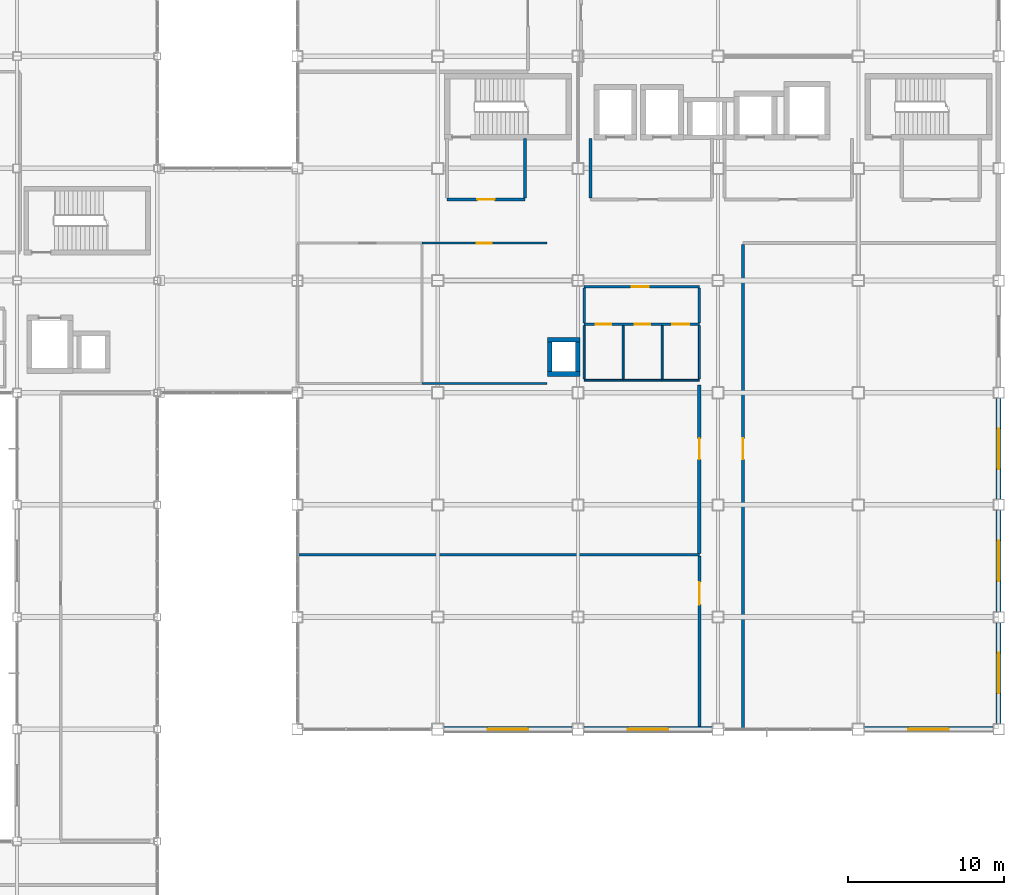
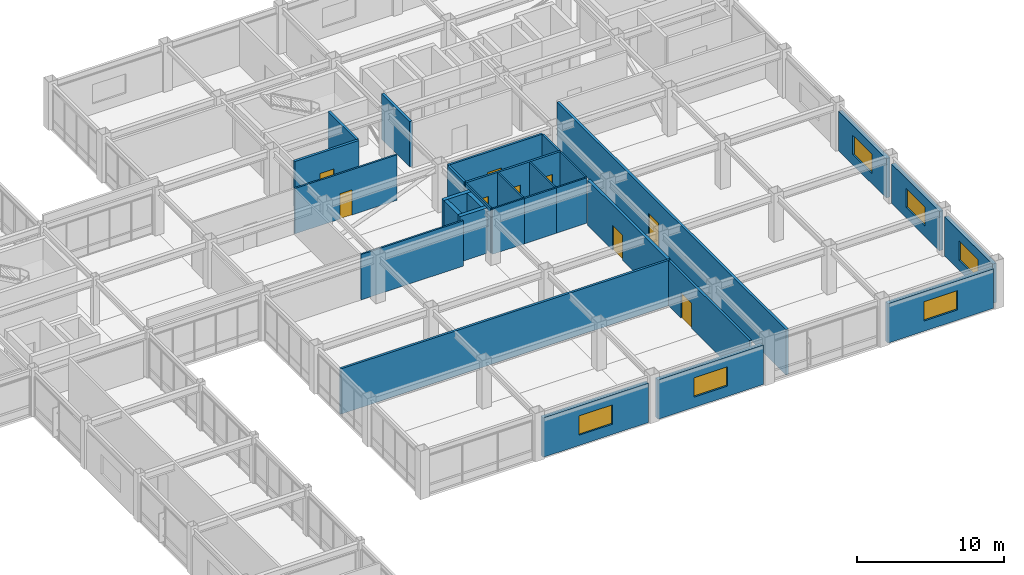
# One storey, part 104 of 122: 30 walls, 9 doors, 6 windows, 15 openings.
"""IFC4 building model written with IfcOpenShell, lengths in metres."""

from ifc_helpers import new_model, si_unit, direction, frame, frame_2d, origin, place, context, subcontext, project, spatial, rectangle, extrude, material, layer, layer_set, type_object, element, fill, save


model = new_model("IFC4")

# Units and contexts
model_context = context("Model", 3, precision=1e-05, world=origin(), true_north=direction((0.0, 1.0)))
body_context = subcontext(model_context, "Body", "Model", "MODEL_VIEW")
ifc_project = project(units=[si_unit("LENGTHUNIT", "METRE"), si_unit("AREAUNIT", "SQUARE_METRE"), si_unit("VOLUMEUNIT", "CUBIC_METRE"), si_unit("PLANEANGLEUNIT", "RADIAN"), si_unit("MASSUNIT", "GRAM", prefix="KILO")], contexts=[model_context])

# Site, building, storey
site_placement = place(None, origin())
site = spatial("IfcSite", under=ifc_project, at=site_placement, CompositionType="ELEMENT")
building_placement = place(site_placement, origin())
building = spatial("IfcBuilding", under=site, at=building_placement, Name="Kazanami Central Library", CompositionType="ELEMENT")
storey_placement = place(building_placement, frame((0.0, 0.0, 4.800048828125)))
storey = spatial("IfcBuildingStorey", under=building, at=storey_placement, Name="L02", CompositionType="ELEMENT", Elevation=4.800048828125)

# Wall, opening, window
ifc_material_1 = material(Name="Concrete Fc36 (36 MPa)", Category="concrete")
ifc_layer_1 = layer(ifc_material_1, 0.219970703125, Name="Concrete Fc36 (36 MPa)")
ifc_material_2 = material(Name="Extruded Polystyrene XPS", Category="earth")
ifc_layer_2 = layer(ifc_material_2, 0.050048828125, Name="Extruded Polystyrene XPS")
ifc_material_3 = material(Name="Honed Inada Granite", Category="masonry")
ifc_layer_3 = layer(ifc_material_3, 0.030029296875, Name="Honed Inada Granite")
ifc_layer_set_1 = layer_set([ifc_layer_1, ifc_layer_2, ifc_layer_3], Name="Concrete Fc36 (36 MPa)")
wall_type_1 = type_object("IfcWallType", Name="WAL-EW-300", PredefinedType="STANDARD", material=ifc_layer_set_1)
wall_1_placement = place(storey_placement, frame((162.0, 50.050048828125, 0.0), z_axis=(0.0, 0.0, 1.0), x_axis=(0.0, -1.0, 0.0)))
wall_1 = element("IfcWall", 1, at=wall_1_placement, inside=storey, type_object=wall_type_1, Name="Exterior Facade Wall EW-300 L02 E-19-06", PredefinedType="STANDARD", context=body_context, shape_type="SweptSolid", body=[
    extrude(rectangle(XDim=6.5, YDim=0.300048828125, at=frame_2d((3.25, 0.0))), origin(), (0.0, 0.0, 1.0), 3.2548828125),
])
opening_1_placement = place(wall_1_placement, frame((1.949951171875, 0.0, 0.85009765625)))
opening_1 = element("IfcOpeningElement", 2, at=opening_1_placement, cuts=wall_1, Name="Opening WN-13", PredefinedType="OPENING", context=body_context, shape_type="SweptSolid", body=[
    extrude(rectangle(XDim=2.60009765625, YDim=1.60009765625, at=frame_2d((1.300048828125, 0.800048828125))), frame((0.0, 0.162109375, 0.0), z_axis=(0.0, -1.0, 0.0), x_axis=(1.0, 0.0, 0.0)), (0.0, 0.0, 1.0), 0.323974609375),
])
ifc_material_4 = material(Name="Low-E Insulated Triple Glass", Category="glass")
window_type = type_object("IfcWindowType", Name="WIN-WN-13", PartitioningType="DOUBLE_PANEL_VERTICAL", PredefinedType="WINDOW", material=ifc_material_4)
window_1_placement = place(opening_1_placement, origin())
window_1 = element("IfcWindow", 3, at=window_1_placement, inside=storey, type_object=window_type, Name="Facade Window WN-13 L02 E-19-06", OverallHeight=1.60009765625, OverallWidth=2.60009765625, PartitioningType="DOUBLE_PANEL_VERTICAL", PredefinedType="WINDOW", context=body_context, shape_type="SweptSolid", body=[
    extrude(rectangle(XDim=2.60009765625, YDim=1.60009765625, at=frame_2d((1.300048828125, 0.800048828125))), frame((0.0, 0.030029296875, 0.0), z_axis=(0.0, -1.0, 0.0), x_axis=(1.0, 0.0, 0.0)), (0.0, 0.0, 1.0), 0.06005859375),
])
fill(opening_1, window_1)

wall_2_placement = place(storey_placement, frame((162.0, 57.25, 0.0), z_axis=(0.0, 0.0, 1.0), x_axis=(0.0, -1.0, 0.0)))
wall_2 = element("IfcWall", 4, at=wall_2_placement, inside=storey, type_object=wall_type_1, Name="Exterior Facade Wall EW-300 L02 E-19-07", PredefinedType="STANDARD", context=body_context, shape_type="SweptSolid", body=[
    extrude(rectangle(XDim=6.5, YDim=0.300048828125, at=frame_2d((3.25, 0.0))), origin(), (0.0, 0.0, 1.0), 3.2548828125),
])
opening_2_placement = place(wall_2_placement, frame((1.949951171875, 0.0, 0.85009765625)))
opening_2 = element("IfcOpeningElement", 5, at=opening_2_placement, cuts=wall_2, Name="Opening WN-13", PredefinedType="OPENING", context=body_context, shape_type="SweptSolid", body=[
    extrude(rectangle(XDim=2.60009765625, YDim=1.60009765625, at=frame_2d((1.300048828125, 0.800048828125))), frame((0.0, 0.162109375, 0.0), z_axis=(0.0, -1.0, 0.0), x_axis=(1.0, 0.0, 0.0)), (0.0, 0.0, 1.0), 0.323974609375),
])
window_2_placement = place(opening_2_placement, origin())
window_2 = element("IfcWindow", 6, at=window_2_placement, inside=storey, type_object=window_type, Name="Facade Window WN-13 L02 E-19-07", OverallHeight=1.60009765625, OverallWidth=2.60009765625, PartitioningType="DOUBLE_PANEL_VERTICAL", PredefinedType="WINDOW", context=body_context, shape_type="SweptSolid", body=[
    extrude(rectangle(XDim=2.60009765625, YDim=1.60009765625, at=frame_2d((1.300048828125, 0.800048828125))), frame((0.0, 0.030029296875, 0.0), z_axis=(0.0, -1.0, 0.0), x_axis=(1.0, 0.0, 0.0)), (0.0, 0.0, 1.0), 0.06005859375),
])
fill(opening_2, window_2)

wall_3_placement = place(storey_placement, frame((162.0, 64.449951171875, 0.0), z_axis=(0.0, 0.0, 1.0), x_axis=(0.0, -1.0, 0.0)))
wall_3 = element("IfcWall", 7, at=wall_3_placement, inside=storey, type_object=wall_type_1, Name="Exterior Facade Wall EW-300 L02 E-19-08", PredefinedType="STANDARD", context=body_context, shape_type="SweptSolid", body=[
    extrude(rectangle(XDim=6.5, YDim=0.300048828125, at=frame_2d((3.25, 0.0))), origin(), (0.0, 0.0, 1.0), 3.2548828125),
])
opening_3_placement = place(wall_3_placement, frame((1.949951171875, 0.0, 0.85009765625)))
opening_3 = element("IfcOpeningElement", 8, at=opening_3_placement, cuts=wall_3, Name="Opening WN-13", PredefinedType="OPENING", context=body_context, shape_type="SweptSolid", body=[
    extrude(rectangle(XDim=2.60009765625, YDim=1.60009765625, at=frame_2d((1.300048828125, 0.800048828125))), frame((0.0, 0.162109375, 0.0), z_axis=(0.0, -1.0, 0.0), x_axis=(1.0, 0.0, 0.0)), (0.0, 0.0, 1.0), 0.323974609375),
])
window_3_placement = place(opening_3_placement, origin())
window_3 = element("IfcWindow", 9, at=window_3_placement, inside=storey, type_object=window_type, Name="Facade Window WN-13 L02 E-19-08", OverallHeight=1.60009765625, OverallWidth=2.60009765625, PartitioningType="DOUBLE_PANEL_VERTICAL", PredefinedType="WINDOW", context=body_context, shape_type="SweptSolid", body=[
    extrude(rectangle(XDim=2.60009765625, YDim=1.60009765625, at=frame_2d((1.300048828125, 0.800048828125))), frame((0.0, 0.030029296875, 0.0), z_axis=(0.0, -1.0, 0.0), x_axis=(1.0, 0.0, 0.0)), (0.0, 0.0, 1.0), 0.06005859375),
])
fill(opening_3, window_3)

ifc_layer_4 = layer(ifc_material_1, 0.239990234375, Name="Concrete Fc36 (36 MPa)")
ifc_layer_5 = layer(ifc_material_2, 0.050048828125, Name="Extruded Polystyrene XPS")
ifc_layer_6 = layer(ifc_material_3, 0.030029296875, Name="Honed Inada Granite")
ifc_layer_set_2 = layer_set([ifc_layer_4, ifc_layer_5, ifc_layer_6], Name="Concrete Fc36 (36 MPa)")
wall_type_2 = type_object("IfcWallType", Name="WAL-EW-320", PredefinedType="STANDARD", material=ifc_layer_set_2)
wall_4_placement = place(storey_placement, frame((126.375, 43.199951171875, 0.0), z_axis=(0.0, 0.0, 1.0), x_axis=(1.0, 0.0, 0.0)))
wall_4 = element("IfcWall", 10, at=wall_4_placement, inside=storey, type_object=wall_type_2, Name="Exterior Facade Wall EW-320 L02 S-G-14", PredefinedType="STANDARD", context=body_context, shape_type="SweptSolid", body=[
    extrude(rectangle(XDim=8.25, YDim=0.320068359375, at=frame_2d((4.125, 0.0))), origin(), (0.0, 0.0, 1.0), 3.2548828125),
])
opening_4_placement = place(wall_4_placement, frame((2.824951171875, 0.0, 0.85009765625)))
opening_4 = element("IfcOpeningElement", 11, at=opening_4_placement, cuts=wall_4, Name="Opening WN-13", PredefinedType="OPENING", context=body_context, shape_type="SweptSolid", body=[
    extrude(rectangle(XDim=2.60009765625, YDim=1.60009765625, at=frame_2d((1.300048828125, 0.800048828125))), frame((0.0, 0.171875, 0.0), z_axis=(0.0, -1.0, 0.0), x_axis=(1.0, 0.0, 0.0)), (0.0, 0.0, 1.0), 0.343994140625),
])
window_4_placement = place(opening_4_placement, origin())
window_4 = element("IfcWindow", 12, at=window_4_placement, inside=storey, type_object=window_type, Name="Facade Window WN-13 L02 S-G-14", OverallHeight=1.60009765625, OverallWidth=2.60009765625, PartitioningType="DOUBLE_PANEL_VERTICAL", PredefinedType="WINDOW", context=body_context, shape_type="SweptSolid", body=[
    extrude(rectangle(XDim=2.60009765625, YDim=1.60009765625, at=frame_2d((1.300048828125, 0.800048828125))), frame((0.0, 0.030029296875, 0.0), z_axis=(0.0, -1.0, 0.0), x_axis=(1.0, 0.0, 0.0)), (0.0, 0.0, 1.0), 0.06005859375),
])
fill(opening_4, window_4)

wall_5_placement = place(storey_placement, frame((135.375, 43.199951171875, 0.0), z_axis=(0.0, 0.0, 1.0), x_axis=(1.0, 0.0, 0.0)))
wall_5 = element("IfcWall", 13, at=wall_5_placement, inside=storey, type_object=wall_type_2, Name="Exterior Facade Wall EW-320 L02 S-G-15", PredefinedType="STANDARD", context=body_context, shape_type="SweptSolid", body=[
    extrude(rectangle(XDim=8.25, YDim=0.320068359375, at=frame_2d((4.125, 0.0))), origin(), (0.0, 0.0, 1.0), 3.2548828125),
])
opening_5_placement = place(wall_5_placement, frame((2.824951171875, 0.0, 0.85009765625)))
opening_5 = element("IfcOpeningElement", 14, at=opening_5_placement, cuts=wall_5, Name="Opening WN-13", PredefinedType="OPENING", context=body_context, shape_type="SweptSolid", body=[
    extrude(rectangle(XDim=2.60009765625, YDim=1.60009765625, at=frame_2d((1.300048828125, 0.800048828125))), frame((0.0, 0.171875, 0.0), z_axis=(0.0, -1.0, 0.0), x_axis=(1.0, 0.0, 0.0)), (0.0, 0.0, 1.0), 0.343994140625),
])
window_5_placement = place(opening_5_placement, origin())
window_5 = element("IfcWindow", 15, at=window_5_placement, inside=storey, type_object=window_type, Name="Facade Window WN-13 L02 S-G-15", OverallHeight=1.60009765625, OverallWidth=2.60009765625, PartitioningType="DOUBLE_PANEL_VERTICAL", PredefinedType="WINDOW", context=body_context, shape_type="SweptSolid", body=[
    extrude(rectangle(XDim=2.60009765625, YDim=1.60009765625, at=frame_2d((1.300048828125, 0.800048828125))), frame((0.0, 0.030029296875, 0.0), z_axis=(0.0, -1.0, 0.0), x_axis=(1.0, 0.0, 0.0)), (0.0, 0.0, 1.0), 0.06005859375),
])
fill(opening_5, window_5)

wall_6_placement = place(storey_placement, frame((153.375, 43.199951171875, 0.0), z_axis=(0.0, 0.0, 1.0), x_axis=(1.0, 0.0, 0.0)))
wall_6 = element("IfcWall", 16, at=wall_6_placement, inside=storey, type_object=wall_type_2, Name="Exterior Facade Wall EW-320 L02 S-G-17", PredefinedType="STANDARD", context=body_context, shape_type="SweptSolid", body=[
    extrude(rectangle(XDim=8.27490234375, YDim=0.320068359375, at=frame_2d((4.137451171875, 0.0))), origin(), (0.0, 0.0, 1.0), 3.2548828125),
])
opening_6_placement = place(wall_6_placement, frame((2.83740234375, 0.0, 0.85009765625)))
opening_6 = element("IfcOpeningElement", 17, at=opening_6_placement, cuts=wall_6, Name="Opening WN-13", PredefinedType="OPENING", context=body_context, shape_type="SweptSolid", body=[
    extrude(rectangle(XDim=2.60009765625, YDim=1.60009765625, at=frame_2d((1.300048828125, 0.800048828125))), frame((0.0, 0.171875, 0.0), z_axis=(0.0, -1.0, 0.0), x_axis=(1.0, 0.0, 0.0)), (0.0, 0.0, 1.0), 0.343994140625),
])
window_6_placement = place(opening_6_placement, origin())
window_6 = element("IfcWindow", 18, at=window_6_placement, inside=storey, type_object=window_type, Name="Facade Window WN-13 L02 S-G-17", OverallHeight=1.60009765625, OverallWidth=2.60009765625, PartitioningType="DOUBLE_PANEL_VERTICAL", PredefinedType="WINDOW", context=body_context, shape_type="SweptSolid", body=[
    extrude(rectangle(XDim=2.60009765625, YDim=1.60009765625, at=frame_2d((1.300048828125, 0.800048828125))), frame((0.0, 0.030029296875, 0.0), z_axis=(0.0, -1.0, 0.0), x_axis=(1.0, 0.0, 0.0)), (0.0, 0.0, 1.0), 0.06005859375),
])
fill(opening_6, window_6)

# Wall, openings, doors
ifc_material_5 = material(Name="Fire-Resistant Gypsum Board GB-F", Category="gypsum")
ifc_layer_7 = layer(ifc_material_5, 0.1650390625, Name="Fire-Resistant Gypsum Board GB-F")
ifc_layer_set_3 = layer_set([ifc_layer_7], Name="Fire-Resistant Gypsum Board GB-F")
wall_type_3 = type_object("IfcWallType", Name="WAL-FW-165", PredefinedType="PARTITIONING", material=ifc_layer_set_3)
wall_7_placement = place(storey_placement, frame((135.39990234375, 69.199951171875, 0.0), z_axis=(0.0, 0.0, 1.0), x_axis=(1.0, 0.0, 0.0)))
wall_7 = element("IfcWall", 19, at=wall_7_placement, inside=storey, type_object=wall_type_3, Name="Interior Partition FW-165 L02 WC-V2-LOB (South)", PredefinedType="PARTITIONING", context=body_context, shape_type="SweptSolid", body=[
    extrude(rectangle(XDim=7.400146484375, YDim=0.1650390625, at=frame_2d((3.7001953125, 0.0))), origin(), (0.0, 0.0, 1.0), 3.7548828125),
])
opening_7_placement = place(wall_7_placement, frame((0.760009765625, 0.0, 0.0)))
opening_7 = element("IfcOpeningElement", 20, at=opening_7_placement, cuts=wall_7, Name="Opening FD30-3", PredefinedType="OPENING", context=body_context, shape_type="SweptSolid", body=[
    extrude(rectangle(XDim=0.97998046875, YDim=2.02001953125, at=frame_2d((0.489990234375, 1.010009765625))), frame((0.0, 0.094482421875, 0.0), z_axis=(0.0, -1.0, 0.0), x_axis=(1.0, 0.0, 0.0)), (0.0, 0.0, 1.0), 0.18896484375),
])
opening_8_placement = place(wall_7_placement, frame((3.25, 0.0, 0.0)))
opening_8 = element("IfcOpeningElement", 21, at=opening_8_placement, cuts=wall_7, Name="Opening FD30-2", PredefinedType="OPENING", context=body_context, shape_type="SweptSolid", body=[
    extrude(rectangle(XDim=1.0, YDim=2.080078125, at=frame_2d((0.5, 1.0400390625))), frame((0.0, 0.094482421875, 0.0), z_axis=(0.0, -1.0, 0.0), x_axis=(1.0, 0.0, 0.0)), (0.0, 0.0, 1.0), 0.18896484375),
])
opening_9_placement = place(wall_7_placement, frame((5.639892578125, 0.0, 0.0)))
opening_9 = element("IfcOpeningElement", 22, at=opening_9_placement, cuts=wall_7, Name="Opening FD30-8", PredefinedType="OPENING", context=body_context, shape_type="SweptSolid", body=[
    extrude(rectangle(XDim=1.1201171875, YDim=2.080078125, at=frame_2d((0.56005859375, 1.0400390625))), frame((0.0, 0.094482421875, 0.0), z_axis=(0.0, -1.0, 0.0), x_axis=(1.0, 0.0, 0.0)), (0.0, 0.0, 1.0), 0.18896484375),
])
ifc_material_6 = material(Name="Cold-Rolled Steel SPCC", Category="steel")
door_type_1 = type_object("IfcDoorType", Name="DOR-FD30-2", OperationType="NOTDEFINED", PredefinedType="DOOR", material=ifc_material_6)
door_1_placement = place(opening_8_placement, origin())
door_1 = element("IfcDoor", 23, at=door_1_placement, inside=storey, type_object=door_type_1, Name="Interior Door FD30-2 L02 WC-V2-F", OperationType="SINGLE_SWING_RIGHT", OverallHeight=2.080078125, OverallWidth=1.0, PredefinedType="DOOR", context=body_context, shape_type="SweptSolid", body=[
    extrude(rectangle(XDim=1.0, YDim=2.080078125, at=frame_2d((0.5, 1.0400390625))), frame((0.0, 0.02490234375, 0.0), z_axis=(0.0, -1.0, 0.0), x_axis=(1.0, 0.0, 0.0)), (0.0, 0.0, 1.0), 0.050048828125),
])
fill(opening_8, door_1)
door_type_2 = type_object("IfcDoorType", Name="DOR-FD30-3", OperationType="NOTDEFINED", PredefinedType="DOOR", material=ifc_material_6)
door_2_placement = place(opening_7_placement, origin())
door_2 = element("IfcDoor", 24, at=door_2_placement, inside=storey, type_object=door_type_2, Name="Interior Door FD30-3 L02 WC-V2-M", OperationType="SINGLE_SWING_LEFT", OverallHeight=2.02001953125, OverallWidth=0.97998046875, PredefinedType="DOOR", context=body_context, shape_type="SweptSolid", body=[
    extrude(rectangle(XDim=0.97998046875, YDim=2.02001953125, at=frame_2d((0.489990234375, 1.010009765625))), frame((0.0, 0.02490234375, 0.0), z_axis=(0.0, -1.0, 0.0), x_axis=(1.0, 0.0, 0.0)), (0.0, 0.0, 1.0), 0.050048828125),
])
fill(opening_7, door_2)
door_type_3 = type_object("IfcDoorType", Name="DOR-FD30-8", OperationType="NOTDEFINED", PredefinedType="DOOR", material=ifc_material_6)
door_3_placement = place(opening_9_placement, origin())
door_3 = element("IfcDoor", 25, at=door_3_placement, inside=storey, type_object=door_type_3, Name="Interior Door FD30-8 L02 WC-V2-ACC", OperationType="SINGLE_SWING_LEFT", OverallHeight=2.080078125, OverallWidth=1.1201171875, PredefinedType="DOOR", context=body_context, shape_type="SweptSolid", body=[
    extrude(rectangle(XDim=1.1201171875, YDim=2.080078125, at=frame_2d((0.56005859375, 1.0400390625))), frame((0.0, 0.02490234375, 0.0), z_axis=(0.0, -1.0, 0.0), x_axis=(1.0, 0.0, 0.0)), (0.0, 0.0, 1.0), 0.050048828125),
])
fill(opening_9, door_3)

# Wall, opening, door
wall_8_placement = place(storey_placement, frame((135.39990234375, 71.60009765625, 0.0), z_axis=(0.0, 0.0, 1.0), x_axis=(1.0, 0.0, 0.0)))
wall_8 = element("IfcWall", 26, at=wall_8_placement, inside=storey, type_object=wall_type_3, Name="Interior Partition FW-165 L02 WC-V2-LOB (North)", PredefinedType="PARTITIONING", context=body_context, shape_type="SweptSolid", body=[
    extrude(rectangle(XDim=7.400146484375, YDim=0.1650390625, at=frame_2d((3.7001953125, 0.0))), origin(), (0.0, 0.0, 1.0), 3.7548828125),
])
opening_10_placement = place(wall_8_placement, frame((3.0400390625, 0.0, 0.0)))
opening_10 = element("IfcOpeningElement", 27, at=opening_10_placement, cuts=wall_8, Name="Opening FD30-8", PredefinedType="OPENING", context=body_context, shape_type="SweptSolid", body=[
    extrude(rectangle(XDim=1.1201171875, YDim=2.080078125, at=frame_2d((0.56005859375, 1.0400390625))), frame((0.0, 0.094482421875, 0.0), z_axis=(0.0, -1.0, 0.0), x_axis=(1.0, 0.0, 0.0)), (0.0, 0.0, 1.0), 0.18896484375),
])
door_4_placement = place(opening_10_placement, origin())
door_4 = element("IfcDoor", 28, at=door_4_placement, inside=storey, type_object=door_type_3, Name="Interior Door FD30-8 L02 WC-V2-LOB", OperationType="SINGLE_SWING_RIGHT", OverallHeight=2.080078125, OverallWidth=1.1201171875, PredefinedType="DOOR", context=body_context, shape_type="SweptSolid", body=[
    extrude(rectangle(XDim=1.1201171875, YDim=2.080078125, at=frame_2d((0.56005859375, 1.0400390625))), frame((0.0, 0.02490234375, 0.0), z_axis=(0.0, -1.0, 0.0), x_axis=(1.0, 0.0, 0.0)), (0.0, 0.0, 1.0), 0.050048828125),
])
fill(opening_10, door_4)

# Walls
for number, where, z_axis, x_axis, name in (
    (29, (135.39990234375, 69.2900390625, 0.0), (0.0, 0.0, 1.0), (0.0, 1.0, 0.0), "Interior Partition FW-165 L02 WC-V2-LOB (West)"),
    (30, (142.800048828125, 69.2900390625, 0.0), (0.0, 0.0, 1.0), (0.0, 1.0, 0.0), "Interior Partition FW-165 L02 WC-V2-LOB (East)"),
):
    element("IfcWall", number, at=place(storey_placement, frame(where, z_axis=z_axis, x_axis=x_axis)), inside=storey, type_object=wall_type_3, Name=name, PredefinedType="PARTITIONING", context=body_context, shape_type="SweptSolid", body=[
        extrude(rectangle(XDim=2.219970703125, YDim=0.1650390625, at=frame_2d((1.10986328125, 0.0))), origin(), (0.0, 0.0, 1.0), 3.7548828125),
    ])
ifc_layer_8 = layer(ifc_material_5, 0.179931640625, Name="Fire-Resistant Gypsum Board GB-F")
ifc_layer_set_4 = layer_set([ifc_layer_8], Name="Fire-Resistant Gypsum Board GB-F")
wall_type_4 = type_object("IfcWallType", Name="WAL-FW-180", PredefinedType="PARTITIONING", material=ifc_layer_set_4)
wall_9_placement = place(storey_placement, frame((117.034912109375, 54.39990234375, 0.0), z_axis=(0.0, 0.0, 1.0), x_axis=(1.0, 0.0, 0.0)))
element("IfcWall", 31, at=wall_9_placement, inside=storey, type_object=wall_type_4, Name="Interior Partition FW-180 L02 RM-41 (North)", PredefinedType="PARTITIONING", context=body_context, shape_type="SweptSolid", body=[
    extrude(rectangle(XDim=25.76513671875, YDim=0.179931640625, at=frame_2d((12.882568359375, 0.0))), origin(), (0.0, 0.0, 1.0), 3.7548828125),
])

# Wall, opening, door
wall_10_placement = place(storey_placement, frame((142.800048828125, 43.364990234375, 0.0), z_axis=(0.0, 0.0, 1.0), x_axis=(0.0, 1.0, 0.0)))
wall_10 = element("IfcWall", 32, at=wall_10_placement, inside=storey, type_object=wall_type_4, Name="Interior Partition FW-180 L02 RM-41 (East)", PredefinedType="PARTITIONING", context=body_context, shape_type="SweptSolid", body=[
    extrude(rectangle(XDim=10.945068359375, YDim=0.179931640625, at=frame_2d((5.47265625, 0.0))), origin(), (0.0, 0.0, 1.0), 3.7548828125),
])
opening_11_placement = place(wall_10_placement, frame((7.8349609375, 0.0, 0.0)))
opening_11 = element("IfcOpeningElement", 33, at=opening_11_placement, cuts=wall_10, Name="Opening FD30-6", PredefinedType="OPENING", context=body_context, shape_type="SweptSolid", body=[
    extrude(rectangle(XDim=1.449951171875, YDim=2.10009765625, at=frame_2d((0.72509765625, 1.050048828125))), frame((0.0, 0.10205078125, 0.0), z_axis=(0.0, -1.0, 0.0), x_axis=(1.0, 0.0, 0.0)), (0.0, 0.0, 1.0), 0.203857421875),
])
door_type_4 = type_object("IfcDoorType", Name="DOR-FD30-6", OperationType="DOUBLE_DOOR_SINGLE_SWING", PredefinedType="DOOR", material=ifc_material_6)
door_5_placement = place(opening_11_placement, origin())
door_5 = element("IfcDoor", 34, at=door_5_placement, inside=storey, type_object=door_type_4, Name="Interior Door FD30-6 L02 RM-41", OperationType="DOUBLE_DOOR_SINGLE_SWING", OverallHeight=2.10009765625, OverallWidth=1.449951171875, PredefinedType="DOOR", context=body_context, shape_type="SweptSolid", body=[
    extrude(rectangle(XDim=1.449951171875, YDim=2.10009765625, at=frame_2d((0.72509765625, 1.050048828125))), frame((0.0, 0.02490234375, 0.0), z_axis=(0.0, -1.0, 0.0), x_axis=(1.0, 0.0, 0.0)), (0.0, 0.0, 1.0), 0.050048828125),
])
fill(opening_11, door_5)

ifc_layer_9 = layer(ifc_material_5, 0.199951171875, Name="Fire-Resistant Gypsum Board GB-F")
ifc_layer_set_5 = layer_set([ifc_layer_9], Name="Fire-Resistant Gypsum Board GB-F")
wall_type_5 = type_object("IfcWallType", Name="WAL-FW-200", PredefinedType="PARTITIONING", material=ifc_layer_set_5)
wall_11_placement = place(storey_placement, frame((126.60009765625, 77.199951171875, 0.0), z_axis=(0.0, 0.0, 1.0), x_axis=(1.0, 0.0, 0.0)))
wall_11 = element("IfcWall", 35, at=wall_11_placement, inside=storey, type_object=wall_type_5, Name="Interior Partition FW-200 L02 VEST-ST-01 (South)", PredefinedType="PARTITIONING", context=body_context, shape_type="SweptSolid", body=[
    extrude(rectangle(XDim=5.0, YDim=0.199951171875, at=frame_2d((2.5, 0.0))), origin(), (0.0, 0.0, 1.0), 3.7548828125),
])
opening_12_placement = place(wall_11_placement, frame((1.949951171875, 0.0, 0.0)))
opening_12 = element("IfcOpeningElement", 36, at=opening_12_placement, cuts=wall_11, Name="Opening FD60-3", PredefinedType="OPENING", context=body_context, shape_type="SweptSolid", body=[
    extrude(rectangle(XDim=1.10009765625, YDim=2.080078125, at=frame_2d((0.550048828125, 1.0400390625))), frame((0.0, 0.11181640625, 0.0), z_axis=(0.0, -1.0, 0.0), x_axis=(1.0, 0.0, 0.0)), (0.0, 0.0, 1.0), 0.223876953125),
])
door_type_5 = type_object("IfcDoorType", Name="DOR-FD60-3", OperationType="NOTDEFINED", PredefinedType="DOOR", material=ifc_material_6)
door_6_placement = place(opening_12_placement, origin())
door_6 = element("IfcDoor", 37, at=door_6_placement, inside=storey, type_object=door_type_5, Name="Interior Door FD60-3 L02 VEST-ST-01", OperationType="SINGLE_SWING_RIGHT", OverallHeight=2.080078125, OverallWidth=1.10009765625, PredefinedType="DOOR", context=body_context, shape_type="SweptSolid", body=[
    extrude(rectangle(XDim=1.10009765625, YDim=2.080078125, at=frame_2d((0.550048828125, 1.0400390625))), frame((0.0, 0.02490234375, 0.0), z_axis=(0.0, -1.0, 0.0), x_axis=(1.0, 0.0, 0.0)), (0.0, 0.0, 1.0), 0.050048828125),
])
fill(opening_12, door_6)

# Walls
for number, where, z_axis, x_axis, name in (
    (38, (131.60009765625, 77.2900390625, 0.0), (0.0, 0.0, 1.0), (0.0, 1.0, 0.0), "Interior Partition FW-200 L02 VEST-ST-01 (East)"),
    (39, (135.800048828125, 77.2900390625, 0.0), (0.0, 0.0, 1.0), (0.0, 1.0, 0.0), "Interior Partition FW-200 L02 LOBBY-FF (West)"),
):
    element("IfcWall", number, at=place(storey_placement, frame(where, z_axis=z_axis, x_axis=x_axis)), inside=storey, type_object=wall_type_5, Name=name, PredefinedType="PARTITIONING", context=body_context, shape_type="SweptSolid", body=[
        extrude(rectangle(XDim=3.820068359375, YDim=0.199951171875, at=frame_2d((1.91015625, 0.0))), origin(), (0.0, 0.0, 1.0), 3.7548828125),
    ])

# Wall, opening, door
wall_12_placement = place(storey_placement, frame((145.60009765625, 43.235107421875, 0.0), z_axis=(0.0, 0.0, 1.0), x_axis=(0.0, 1.0, 0.0)))
wall_12 = element("IfcWall", 40, at=wall_12_placement, inside=storey, type_object=wall_type_5, Name="Interior Partition FW-200 L02 RM-45 (West)", PredefinedType="PARTITIONING", context=body_context, shape_type="SweptSolid", body=[
    extrude(rectangle(XDim=31.074951171875, YDim=0.199951171875, at=frame_2d((15.53759765625, 0.0))), origin(), (0.0, 0.0, 1.0), 3.7548828125),
])
opening_13_placement = place(wall_12_placement, frame((17.2900390625, 0.0, 0.0)))
opening_13 = element("IfcOpeningElement", 41, at=opening_13_placement, cuts=wall_12, Name="Opening FD60-7", PredefinedType="OPENING", context=body_context, shape_type="SweptSolid", body=[
    extrude(rectangle(XDim=1.35009765625, YDim=2.080078125, at=frame_2d((0.675048828125, 1.0400390625))), frame((0.0, 0.11181640625, 0.0), z_axis=(0.0, -1.0, 0.0), x_axis=(1.0, 0.0, 0.0)), (0.0, 0.0, 1.0), 0.223876953125),
])
door_type_6 = type_object("IfcDoorType", Name="DOR-FD60-7", OperationType="DOUBLE_DOOR_SINGLE_SWING", PredefinedType="DOOR", material=ifc_material_6)
door_7_placement = place(opening_13_placement, origin())
door_7 = element("IfcDoor", 42, at=door_7_placement, inside=storey, type_object=door_type_6, Name="Interior Door FD60-7 L02 RM-45", OperationType="DOUBLE_DOOR_SINGLE_SWING", OverallHeight=2.080078125, OverallWidth=1.35009765625, PredefinedType="DOOR", context=body_context, shape_type="SweptSolid", body=[
    extrude(rectangle(XDim=1.35009765625, YDim=2.080078125, at=frame_2d((0.675048828125, 1.0400390625))), frame((0.0, 0.02490234375, 0.0), z_axis=(0.0, -1.0, 0.0), x_axis=(1.0, 0.0, 0.0)), (0.0, 0.0, 1.0), 0.050048828125),
])
fill(opening_13, door_7)

ifc_layer_10 = layer(ifc_material_5, 0.219970703125, Name="Fire-Resistant Gypsum Board GB-F")
ifc_layer_set_6 = layer_set([ifc_layer_10], Name="Fire-Resistant Gypsum Board GB-F")
wall_type_6 = type_object("IfcWallType", Name="WAL-FW-220", PredefinedType="PARTITIONING", material=ifc_layer_set_6)
wall_13_placement = place(storey_placement, frame((142.800048828125, 54.489990234375, 0.0), z_axis=(0.0, 0.0, 1.0), x_axis=(0.0, 1.0, 0.0)))
wall_13 = element("IfcWall", 43, at=wall_13_placement, inside=storey, type_object=wall_type_6, Name="Interior Partition FW-220 L02 RM-42 (East)", PredefinedType="PARTITIONING", context=body_context, shape_type="SweptSolid", body=[
    extrude(rectangle(XDim=10.820068359375, YDim=0.219970703125, at=frame_2d((5.41015625, 0.0))), origin(), (0.0, 0.0, 1.0), 3.7548828125),
])
opening_14_placement = place(wall_13_placement, frame((6.034912109375, 0.0, 0.0)))
opening_14 = element("IfcOpeningElement", 44, at=opening_14_placement, cuts=wall_13, Name="Opening FD60-7", PredefinedType="OPENING", context=body_context, shape_type="SweptSolid", body=[
    extrude(rectangle(XDim=1.35009765625, YDim=2.080078125, at=frame_2d((0.675048828125, 1.0400390625))), frame((0.0, 0.1220703125, 0.0), z_axis=(0.0, -1.0, 0.0), x_axis=(1.0, 0.0, 0.0)), (0.0, 0.0, 1.0), 0.243896484375),
])
door_8_placement = place(opening_14_placement, origin())
door_8 = element("IfcDoor", 45, at=door_8_placement, inside=storey, type_object=door_type_6, Name="Interior Door FD60-7 L02 RM-42", OperationType="DOUBLE_DOOR_SINGLE_SWING", OverallHeight=2.080078125, OverallWidth=1.35009765625, PredefinedType="DOOR", context=body_context, shape_type="SweptSolid", body=[
    extrude(rectangle(XDim=1.35009765625, YDim=2.080078125, at=frame_2d((0.675048828125, 1.0400390625))), frame((0.0, 0.02490234375, 0.0), z_axis=(0.0, -1.0, 0.0), x_axis=(1.0, 0.0, 0.0)), (0.0, 0.0, 1.0), 0.050048828125),
])
fill(opening_14, door_8)

# Walls
ifc_material_7 = material(Name="Gypsum Plasterboard GB-R", Category="gypsum")
ifc_layer_11 = layer(ifc_material_7, 0.125, Name="Gypsum Plasterboard GB-R")
ifc_layer_set_7 = layer_set([ifc_layer_11], Name="Gypsum Plasterboard GB-R")
wall_type_7 = type_object("IfcWallType", Name="WAL-PW-125", PredefinedType="PARTITIONING", material=ifc_layer_set_7)
wall_14_placement = place(storey_placement, frame((135.39990234375, 65.60009765625, 0.0), z_axis=(0.0, 0.0, 1.0), x_axis=(1.0, 0.0, 0.0)))
element("IfcWall", 46, at=wall_14_placement, inside=storey, type_object=wall_type_7, Name="Interior Partition PW-125 L02 WC-V2-M (South)", PredefinedType="PARTITIONING", context=body_context, shape_type="SweptSolid", body=[
    extrude(rectangle(XDim=2.5, YDim=0.125, at=frame_2d((1.25, 0.0))), origin(), (0.0, 0.0, 1.0), 3.7548828125),
])
for number, where, z_axis, x_axis, name in (
    (47, (135.39990234375, 65.68994140625, 0.0), (0.0, 0.0, 1.0), (0.0, 1.0, 0.0), "Interior Partition PW-125 L02 WC-V2-M (West)"),
    (48, (137.89990234375, 65.68994140625, 0.0), (0.0, 0.0, 1.0), (0.0, 1.0, 0.0), "Interior Partition PW-125 L02 WC-V2-M (East)"),
):
    element("IfcWall", number, at=place(storey_placement, frame(where, z_axis=z_axis, x_axis=x_axis)), inside=storey, type_object=wall_type_7, Name=name, PredefinedType="PARTITIONING", context=body_context, shape_type="SweptSolid", body=[
        extrude(rectangle(XDim=3.420166015625, YDim=0.125, at=frame_2d((1.7099609375, 0.0))), origin(), (0.0, 0.0, 1.0), 3.7548828125),
    ])
wall_15_placement = place(storey_placement, frame((137.89990234375, 65.60009765625, 0.0), z_axis=(0.0, 0.0, 1.0), x_axis=(1.0, 0.0, 0.0)))
element("IfcWall", 49, at=wall_15_placement, inside=storey, type_object=wall_type_7, Name="Interior Partition PW-125 L02 WC-V2-F (South)", PredefinedType="PARTITIONING", context=body_context, shape_type="SweptSolid", body=[
    extrude(rectangle(XDim=2.5, YDim=0.125, at=frame_2d((1.25, 0.0))), origin(), (0.0, 0.0, 1.0), 3.7548828125),
])
wall_16_placement = place(storey_placement, frame((140.39990234375, 65.68994140625, 0.0), z_axis=(0.0, 0.0, 1.0), x_axis=(0.0, 1.0, 0.0)))
element("IfcWall", 50, at=wall_16_placement, inside=storey, type_object=wall_type_7, Name="Interior Partition PW-125 L02 WC-V2-F (East)", PredefinedType="PARTITIONING", context=body_context, shape_type="SweptSolid", body=[
    extrude(rectangle(XDim=3.420166015625, YDim=0.125, at=frame_2d((1.7099609375, 0.0))), origin(), (0.0, 0.0, 1.0), 3.7548828125),
])
wall_17_placement = place(storey_placement, frame((140.39990234375, 65.60009765625, 0.0), z_axis=(0.0, 0.0, 1.0), x_axis=(1.0, 0.0, 0.0)))
element("IfcWall", 51, at=wall_17_placement, inside=storey, type_object=wall_type_7, Name="Interior Partition PW-125 L02 WC-V2-ACC (South)", PredefinedType="PARTITIONING", context=body_context, shape_type="SweptSolid", body=[
    extrude(rectangle(XDim=2.400146484375, YDim=0.125, at=frame_2d((1.2001953125, 0.0))), origin(), (0.0, 0.0, 1.0), 3.7548828125),
])
wall_18_placement = place(storey_placement, frame((142.800048828125, 65.68994140625, 0.0), z_axis=(0.0, 0.0, 1.0), x_axis=(0.0, 1.0, 0.0)))
element("IfcWall", 52, at=wall_18_placement, inside=storey, type_object=wall_type_7, Name="Interior Partition PW-125 L02 WC-V2-ACC (East)", PredefinedType="PARTITIONING", context=body_context, shape_type="SweptSolid", body=[
    extrude(rectangle(XDim=3.420166015625, YDim=0.125, at=frame_2d((1.7099609375, 0.0))), origin(), (0.0, 0.0, 1.0), 3.7548828125),
])
ifc_layer_12 = layer(ifc_material_7, 0.135009765625, Name="Gypsum Plasterboard GB-R")
ifc_layer_set_8 = layer_set([ifc_layer_12], Name="Gypsum Plasterboard GB-R")
wall_type_8 = type_object("IfcWallType", Name="WAL-PW-135", PredefinedType="PARTITIONING", material=ifc_layer_set_8)
wall_19_placement = place(storey_placement, frame((125.0, 65.39990234375, 0.0), z_axis=(0.0, 0.0, 1.0), x_axis=(1.0, 0.0, 0.0)))
element("IfcWall", 53, at=wall_19_placement, inside=storey, type_object=wall_type_8, Name="Interior Partition PW-135 L02 RM-44 (South)", PredefinedType="PARTITIONING", context=body_context, shape_type="SweptSolid", body=[
    extrude(rectangle(XDim=8.0, YDim=0.135009765625, at=frame_2d((4.0, 0.0))), origin(), (0.0, 0.0, 1.0), 3.7548828125),
])

# Wall, opening, door
wall_20_placement = place(storey_placement, frame((125.0, 74.39990234375, 0.0), z_axis=(0.0, 0.0, 1.0), x_axis=(1.0, 0.0, 0.0)))
wall_20 = element("IfcWall", 54, at=wall_20_placement, inside=storey, type_object=wall_type_8, Name="Interior Partition PW-135 L02 RM-44 (North)", PredefinedType="PARTITIONING", context=body_context, shape_type="SweptSolid", body=[
    extrude(rectangle(XDim=8.0, YDim=0.135009765625, at=frame_2d((4.0, 0.0))), origin(), (0.0, 0.0, 1.0), 3.7548828125),
])
opening_15_placement = place(wall_20_placement, frame((3.52001953125, 0.0, 0.0)))
opening_15 = element("IfcOpeningElement", 55, at=opening_15_placement, cuts=wall_20, Name="Opening ID-04", PredefinedType="OPENING", context=body_context, shape_type="SweptSolid", body=[
    extrude(rectangle(XDim=0.9599609375, YDim=2.10009765625, at=frame_2d((0.47998046875, 1.050048828125))), frame((0.0, 0.07958984375, 0.0), z_axis=(0.0, -1.0, 0.0), x_axis=(1.0, 0.0, 0.0)), (0.0, 0.0, 1.0), 0.158935546875),
])
ifc_material_8 = material(Name="White Oak Hardwood", Category="wood")
door_type_7 = type_object("IfcDoorType", Name="DOR-ID-04", OperationType="NOTDEFINED", PredefinedType="DOOR", material=ifc_material_8)
door_9_placement = place(opening_15_placement, origin())
door_9 = element("IfcDoor", 56, at=door_9_placement, inside=storey, type_object=door_type_7, Name="Interior Door ID-04 L02 RM-44", OperationType="SINGLE_SWING_RIGHT", OverallHeight=2.10009765625, OverallWidth=0.9599609375, PredefinedType="DOOR", context=body_context, shape_type="SweptSolid", body=[
    extrude(rectangle(XDim=0.9599609375, YDim=2.10009765625, at=frame_2d((0.47998046875, 1.050048828125))), frame((0.0, 0.02490234375, 0.0), z_axis=(0.0, -1.0, 0.0), x_axis=(1.0, 0.0, 0.0)), (0.0, 0.0, 1.0), 0.050048828125),
])
fill(opening_15, door_9)

# Walls
ifc_layer_13 = layer(ifc_material_1, 0.300048828125, Name="Concrete Fc36 (36 MPa)")
ifc_layer_set_9 = layer_set([ifc_layer_13], Name="Concrete Fc36 (36 MPa)")
wall_type_9 = type_object("IfcWallType", Name="WAL-SW-300", PredefinedType="SHEAR", material=ifc_layer_set_9)
for number, where, z_axis, x_axis, name in (
    (57, (133.050048828125, 66.0, 0.0), (0.0, 0.0, 1.0), (1.0, 0.0, 0.0), "Service Riser Wall RSR-V2-B S L02"),
    (58, (133.050048828125, 68.199951171875, 0.0), (0.0, 0.0, 1.0), (1.0, 0.0, 0.0), "Service Riser Wall RSR-V2-B N L02"),
):
    element("IfcWall", number, at=place(storey_placement, frame(where, z_axis=z_axis, x_axis=x_axis)), inside=storey, type_object=wall_type_9, Name=name, PredefinedType="SHEAR", context=body_context, shape_type="SweptSolid", body=[
        extrude(rectangle(XDim=2.099853515625, YDim=0.300048828125, at=frame_2d((1.0498046875, 0.0))), origin(), (0.0, 0.0, 1.0), 3.7548828125),
    ])
for number, where, z_axis, x_axis, name in (
    (59, (133.199951171875, 66.14990234375, 0.0), (0.0, 0.0, 1.0), (0.0, 1.0, 0.0), "Service Riser Wall RSR-V2-B W L02"),
    (60, (135.0, 66.14990234375, 0.0), (0.0, 0.0, 1.0), (0.0, 1.0, 0.0), "Service Riser Wall RSR-V2-B E L02"),
):
    element("IfcWall", number, at=place(storey_placement, frame(where, z_axis=z_axis, x_axis=x_axis)), inside=storey, type_object=wall_type_9, Name=name, PredefinedType="SHEAR", context=body_context, shape_type="SweptSolid", body=[
        extrude(rectangle(XDim=1.900146484375, YDim=0.300048828125, at=frame_2d((0.9501953125, 0.0))), origin(), (0.0, 0.0, 1.0), 3.7548828125),
    ])

save(model, "model.ifc")
